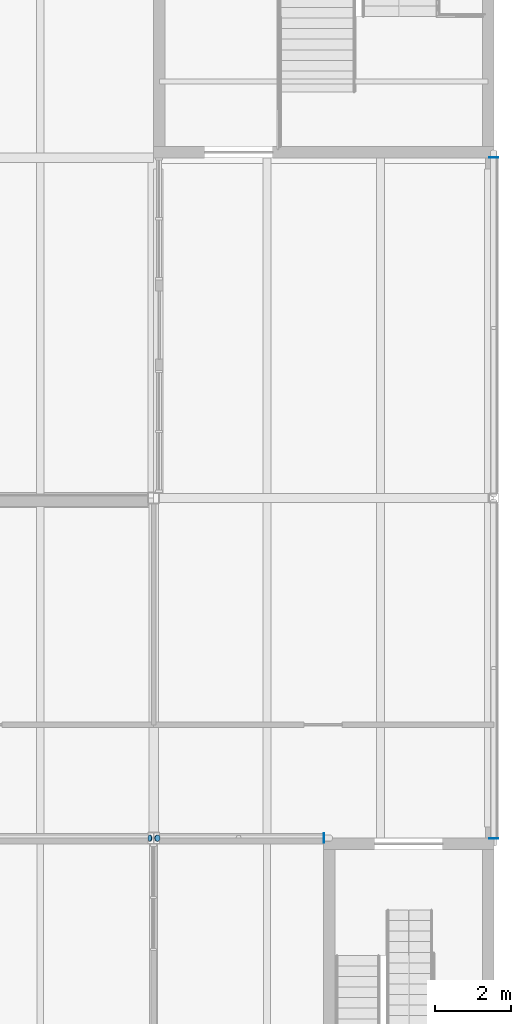
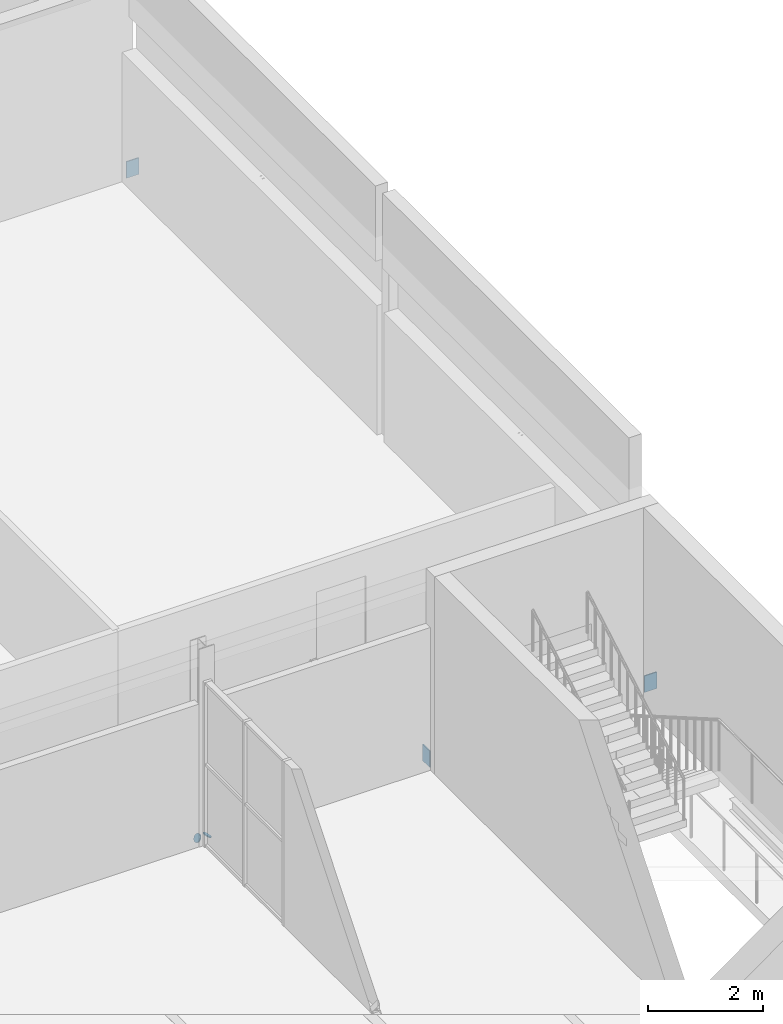
# One storey, part 53 of 61: 5 discrete accessories.
"""IFC4 building model written with IfcOpenShell, lengths in metres."""

from ifc_helpers import new_model, si_unit, direction, frame, origin, origin_2d, place, context, subcontext, project, spatial, rectangle, circle, extrude, element, save


model = new_model("IFC4")

# Units and contexts
model_context = context("Model", 3, precision=1e-05, world=origin(), true_north=direction((0.0, 1.0)))
body_context = subcontext(model_context, "Body", "Model", "MODEL_VIEW")
ifc_project = project(units=[si_unit("LENGTHUNIT", "METRE"), si_unit("AREAUNIT", "SQUARE_METRE"), si_unit("VOLUMEUNIT", "CUBIC_METRE"), si_unit("PLANEANGLEUNIT", "RADIAN"), si_unit("MASSUNIT", "GRAM", prefix="KILO")], contexts=[model_context])

# Site, building, storey
site_placement = place(None, origin())
site = spatial("IfcSite", under=ifc_project, at=site_placement, CompositionType="ELEMENT")
building_placement = place(site_placement, origin())
building = spatial("IfcBuilding", under=site, at=building_placement, Name="Halyard Row Museum", CompositionType="ELEMENT")
storey_placement = place(building_placement, frame((0.0, 0.0, 9.199951171875)))
storey = spatial("IfcBuildingStorey", under=building, at=storey_placement, Name="L02", CompositionType="ELEMENT", Elevation=9.199951171875)

# Discrete accessories
for number, where, z_axis, x_axis, name in (
    (1, (108.0, 36.0, 0.215087890625), (0.0, -1.0, 0.0), (1.0, 0.0, 0.0), "Brace L02 X108 36-45 A cast-in plate"),
    (2, (108.0, 54.0, 0.215087890625), (0.0, 1.0, 0.0), (-1.0, 0.0, 0.0), "Brace L02 X108 45-54 B cast-in plate"),
):
    element("IfcDiscreteAccessory", number, at=place(storey_placement, frame(where, z_axis=z_axis, x_axis=x_axis)), inside=storey, Name=name, PredefinedType="ANCHORPLATE", context=body_context, shape_type="SweptSolid", body=[
        extrude(rectangle(XDim=0.25, YDim=0.35009765625, at=origin_2d()), origin(), (0.0, 0.0, 1.0), 0.02001953125),
    ])
for number, where, z_axis, x_axis, name in (
    (3, (98.8955078125, 36.0, 0.084228515625), (0.833932205727, 0.0, -0.551866900848), (0.0, 1.0, 0.0), "Brace L02 Y36 90-99 B foot end plate"),
    (4, (99.1044921875, 36.0, 0.084228515625), (-0.596099998266, 0.0, -0.802910201746), (0.0, -1.0, 0.0), "Brace L02 Y36 99-103.5 A foot end plate"),
):
    element("IfcDiscreteAccessory", number, at=place(storey_placement, frame(where, z_axis=z_axis, x_axis=x_axis)), inside=storey, Name=name, PredefinedType="BRACKET", context=body_context, shape_type="SweptSolid", body=[
        extrude(circle(Radius=0.084228515625, at=origin_2d()), origin(), (0.0, 0.0, 1.0), 0.02001953125),
    ])
discrete_accessory_placement = place(storey_placement, frame((103.5, 36.0, 0.215087890625), z_axis=(1.0, 0.0, 0.0), x_axis=(0.0, 1.0, 0.0)))
element("IfcDiscreteAccessory", 5, at=discrete_accessory_placement, inside=storey, Name="Brace L02 Y36 99-103.5 B cast-in plate", PredefinedType="ANCHORPLATE", context=body_context, shape_type="SweptSolid", body=[
    extrude(rectangle(XDim=0.25, YDim=0.35009765625, at=origin_2d()), origin(), (0.0, 0.0, 1.0), 0.02001953125),
])

save(model, "model.ifc")
